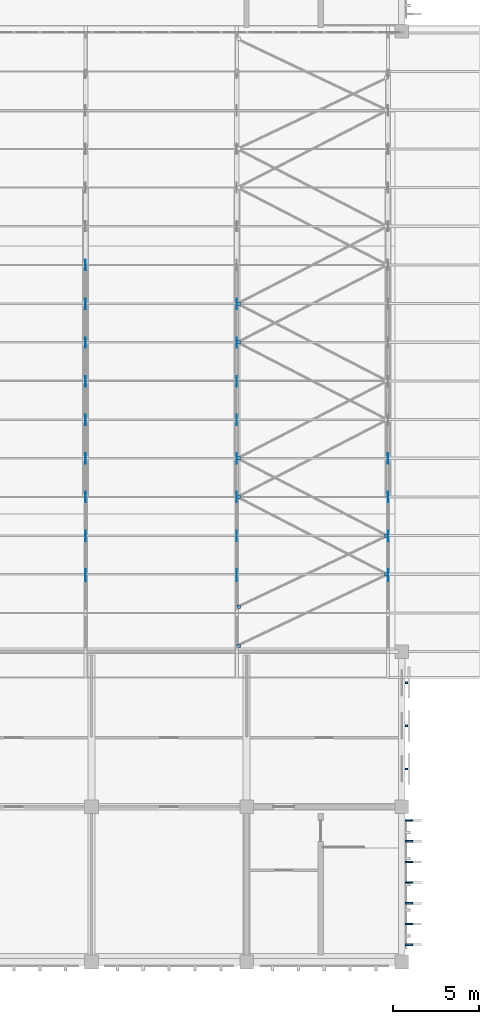
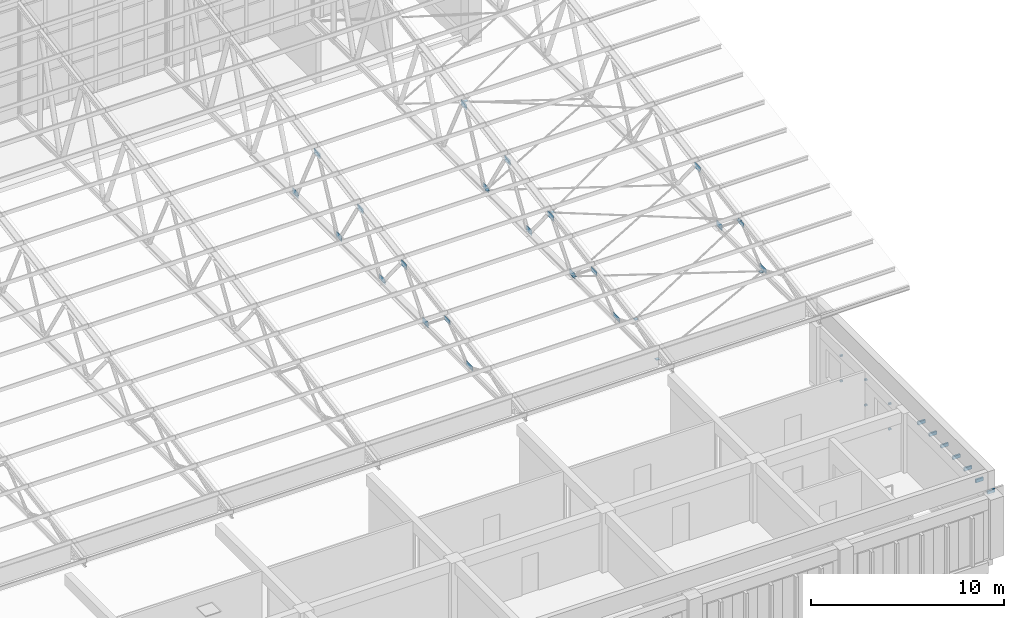
# One storey, part 154 of 185: 42 discrete accessories.
"""IFC4 building model written with IfcOpenShell, lengths in metres."""

from ifc_helpers import new_model, si_unit, direction, frame, origin, origin_2d, place, context, subcontext, project, spatial, rectangle, extrude, material, layer, layer_set, type_object, element, save


model = new_model("IFC4")

# Units and contexts
model_context = context("Model", 3, precision=1e-05, world=origin(), true_north=direction((0.0, 1.0)))
body_context = subcontext(model_context, "Body", "Model", "MODEL_VIEW")
ifc_project = project(units=[si_unit("LENGTHUNIT", "METRE"), si_unit("AREAUNIT", "SQUARE_METRE"), si_unit("VOLUMEUNIT", "CUBIC_METRE"), si_unit("PLANEANGLEUNIT", "RADIAN"), si_unit("MASSUNIT", "GRAM", prefix="KILO")], contexts=[model_context])

# Site, building, storey
site_placement = place(None, origin())
site = spatial("IfcSite", under=ifc_project, at=site_placement, CompositionType="ELEMENT")
building_placement = place(site_placement, origin())
building = spatial("IfcBuilding", under=site, at=building_placement, Name="Opaline Strait Convention Centre", CompositionType="ELEMENT")
storey_placement = place(building_placement, frame((0.0, 0.0, 6.0)))
storey = spatial("IfcBuildingStorey", under=building, at=storey_placement, Name="L01", CompositionType="ELEMENT", Elevation=6.0)

# Discrete accessories
ifc_material_1 = material(Name="Steel Q355B", Category="steel")
ifc_layer_1 = layer(ifc_material_1, 0.014892578125)
ifc_layer_set_1 = layer_set([ifc_layer_1], Name="Steel Q355B")
discrete_accessory_type_1 = type_object("IfcDiscreteAccessoryType", Name="Brace gusset plate 200 x 200 x 15", PredefinedType="USERDEFINED", material=ifc_layer_set_1)
for number, where, z_axis, x_axis, name in (
    (1, (341.531982421875, 27.35009765625, 4.49267578125), (0.0, 0.0, 1.0), (1.0, 0.0, 0.0), "BNP8 roof brace gusset plate end bay 2 bottom plane"),
    (2, (341.531982421875, 35.97509765625, 4.49267578125), (0.0, 0.0, 1.0), (1.0, 0.0, 0.0), "BNP8 roof brace gusset plate end bay 2 bottom plane"),
    (3, (341.53466796875, 44.949951171875, 4.49267578125), (0.0, 0.0, 1.0), (1.0, 0.0, 0.0), "BNP8 roof brace gusset plate end bay 2 bottom plane"),
    (4, (350.096435546875, 31.487548828125, 4.49267578125), (0.0, 0.0, 1.0), (1.0, 0.0, 0.0), "BNP8 roof brace gusset plate end bay 2 bottom plane"),
    (5, (341.531982421875, 29.59375, 5.64990234375), (0.0, 0.0, 1.0), (1.0, 0.0, 0.0), "BNP8 roof brace gusset plate end bay 2 top plane"),
    (6, (341.53466796875, 38.21875, 7.1708984375), (0.0, 0.0, 1.0), (1.0, 0.0, 0.0), "BNP8 roof brace gusset plate end bay 2 top plane"),
    (7, (341.53466796875, 47.19384765625, 8.75341796875), (0.0, 0.0, 1.0), (1.0, 0.0, 0.0), "BNP8 roof brace gusset plate end bay 2 top plane"),
    (8, (350.096435546875, 33.731201171875, 6.37939453125), (0.0, 0.0, 1.0), (1.0, 0.0, 0.0), "BNP8 roof brace gusset plate end bay 2 top plane"),
):
    element("IfcDiscreteAccessory", number, at=place(storey_placement, frame(where, z_axis=z_axis, x_axis=x_axis)), inside=storey, type_object=discrete_accessory_type_1, Name=name, ObjectType="NODE HUB", PredefinedType="USERDEFINED", context=body_context, shape_type="SweptSolid", body=[
        extrude(rectangle(XDim=0.199951171875, YDim=0.199951171875, at=origin_2d()), origin(), (0.0, 0.0, 1.0), 0.014892578125),
    ])
ifc_material_2 = material(Name="Stainless steel 304", Category="steel")
discrete_accessory_type_2 = type_object("IfcDiscreteAccessoryType", Name="Louvre support bracket 150", PredefinedType="BRACKET", material=ifc_material_2)
for number, where, z_axis, x_axis, name in (
    (9, (351.27490234375, 20.199951171875, 0.949951171875), (0.0, 0.0, 1.0), (1.0, 0.0, 0.0), "Louvre bracket L01 1.1"),
    (10, (351.27490234375, 20.199951171875, 2.550048828125), (0.0, 0.0, 1.0), (1.0, 0.0, 0.0), "Louvre bracket L01 1.2"),
    (11, (351.27490234375, 22.699951171875, 0.949951171875), (0.0, 0.0, 1.0), (1.0, 0.0, 0.0), "Louvre bracket L01 2.1"),
    (12, (351.27490234375, 22.699951171875, 2.550048828125), (0.0, 0.0, 1.0), (1.0, 0.0, 0.0), "Louvre bracket L01 2.2"),
    (13, (351.27490234375, 25.199951171875, 0.949951171875), (0.0, 0.0, 1.0), (1.0, 0.0, 0.0), "Louvre bracket L01 3.1"),
    (14, (351.27490234375, 25.199951171875, 2.550048828125), (0.0, 0.0, 1.0), (1.0, 0.0, 0.0), "Louvre bracket L01 3.2"),
):
    element("IfcDiscreteAccessory", number, at=place(storey_placement, frame(where, z_axis=z_axis, x_axis=x_axis)), inside=storey, type_object=discrete_accessory_type_2, Name=name, PredefinedType="BRACKET", context=body_context, shape_type="SweptSolid", body=[
        extrude(rectangle(XDim=0.14990234375, YDim=0.10009765625, at=origin_2d()), origin(), (0.0, 0.0, 1.0), 0.10009765625),
    ])
discrete_accessory_type_3 = type_object("IfcDiscreteAccessoryType", Name="Storm fin bracket 100", PredefinedType="BRACKET", material=ifc_material_2)
for number, where, z_axis, x_axis, name in (
    (15, (351.425048828125, 10.0, 3.10009765625), (0.0, 0.0, 1.0), (1.0, 0.0, 0.0), "Storm fin bracket east 82"),
    (16, (351.425048828125, 11.199951171875, 3.10009765625), (0.0, 0.0, 1.0), (1.0, 0.0, 0.0), "Storm fin bracket east 83"),
    (17, (351.425048828125, 12.39990234375, 3.10009765625), (0.0, 0.0, 1.0), (1.0, 0.0, 0.0), "Storm fin bracket east 84"),
    (18, (351.425048828125, 13.60009765625, 3.10009765625), (0.0, 0.0, 1.0), (1.0, 0.0, 0.0), "Storm fin bracket east 85"),
    (19, (351.425048828125, 14.800048828125, 3.10009765625), (0.0, 0.0, 1.0), (1.0, 0.0, 0.0), "Storm fin bracket east 86"),
    (20, (351.425048828125, 16.0, 3.10009765625), (0.0, 0.0, 1.0), (1.0, 0.0, 0.0), "Storm fin bracket east 87"),
    (21, (351.425048828125, 17.199951171875, 3.10009765625), (0.0, 0.0, 1.0), (1.0, 0.0, 0.0), "Storm fin bracket east 88"),
):
    element("IfcDiscreteAccessory", number, at=place(storey_placement, frame(where, z_axis=z_axis, x_axis=x_axis)), inside=storey, type_object=discrete_accessory_type_3, Name=name, PredefinedType="BRACKET", context=body_context, shape_type="SweptSolid", body=[
        extrude(rectangle(XDim=0.449951171875, YDim=0.10009765625, at=origin_2d()), origin(), (0.0, 0.0, 1.0), 0.199951171875),
    ])
ifc_layer_2 = layer(ifc_material_1, 0.014892578125)
ifc_layer_set_2 = layer_set([ifc_layer_2], Name="Steel Q355B")
discrete_accessory_type_4 = type_object("IfcDiscreteAccessoryType", Name="Truss node plate 600 x 300 x 15", PredefinedType="USERDEFINED", material=ifc_layer_set_2)
for number, where, z_axis, x_axis, name in (
    (22, (332.656982421875, 33.714111328125, 6.0361328125), (0.0, 0.0, 1.0), (1.0, 0.0, 0.0), "BNP6 truss node plate line 6 top node"),
    (23, (341.4287109375, 33.714111328125, 6.0361328125), (0.0, 0.0, 1.0), (1.0, 0.0, 0.0), "BNP6 truss node plate line 7 top node"),
    (24, (350.199951171875, 33.714111328125, 6.0361328125), (0.0, 0.0, 1.0), (1.0, 0.0, 0.0), "BNP6 truss node plate line 8 top node"),
):
    element("IfcDiscreteAccessory", number, at=place(storey_placement, frame(where, z_axis=z_axis, x_axis=x_axis)), inside=storey, type_object=discrete_accessory_type_4, Name=name, ObjectType="NODE HUB", PredefinedType="USERDEFINED", context=body_context, shape_type="SweptSolid", body=[
        extrude(rectangle(XDim=0.014892578125, YDim=0.60009765625, at=origin_2d()), origin(), (0.0, 0.0, 1.0), 0.300048828125),
    ])
ifc_layer_3 = layer(ifc_material_1, 0.014892578125)
ifc_layer_set_3 = layer_set([ifc_layer_3], Name="Steel Q355B")
discrete_accessory_type_5 = type_object("IfcDiscreteAccessoryType", Name="Truss node plate 600 x 350 x 15", PredefinedType="USERDEFINED", material=ifc_layer_set_3)
for number, where, z_axis, x_axis, name in (
    (25, (332.656982421875, 35.967041015625, 4.52001953125), (0.0, 0.0, 1.0), (1.0, 0.0, 0.0), "BNP2 truss node plate line 6 bottom node"),
    (26, (332.656982421875, 40.441650390625, 4.52001953125), (0.0, 0.0, 1.0), (1.0, 0.0, 0.0), "BNP2 truss node plate line 6 bottom node"),
    (27, (332.656982421875, 44.92236328125, 4.52001953125), (0.0, 0.0, 1.0), (1.0, 0.0, 0.0), "BNP2 truss node plate line 6 bottom node"),
    (28, (332.656982421875, 38.20947265625, 6.8037109375), (0.0, 0.0, 1.0), (1.0, 0.0, 0.0), "BNP2 truss node plate line 6 top node"),
    (29, (332.656982421875, 42.6845703125, 7.5927734375), (0.0, 0.0, 1.0), (1.0, 0.0, 0.0), "BNP2 truss node plate line 6 top node"),
    (30, (332.656982421875, 47.165771484375, 8.383056640625), (0.0, 0.0, 1.0), (1.0, 0.0, 0.0), "BNP2 truss node plate line 6 top node"),
    (31, (341.4287109375, 35.967041015625, 4.52001953125), (0.0, 0.0, 1.0), (1.0, 0.0, 0.0), "BNP2 truss node plate line 7 bottom node"),
    (32, (341.4287109375, 40.441650390625, 4.52001953125), (0.0, 0.0, 1.0), (1.0, 0.0, 0.0), "BNP2 truss node plate line 7 bottom node"),
    (33, (341.4287109375, 44.92236328125, 4.52001953125), (0.0, 0.0, 1.0), (1.0, 0.0, 0.0), "BNP2 truss node plate line 7 bottom node"),
    (34, (341.4287109375, 38.20947265625, 6.8037109375), (0.0, 0.0, 1.0), (1.0, 0.0, 0.0), "BNP2 truss node plate line 7 top node"),
    (35, (341.4287109375, 42.6845703125, 7.5927734375), (0.0, 0.0, 1.0), (1.0, 0.0, 0.0), "BNP2 truss node plate line 7 top node"),
    (36, (341.4287109375, 47.165771484375, 8.383056640625), (0.0, 0.0, 1.0), (1.0, 0.0, 0.0), "BNP2 truss node plate line 7 top node"),
    (37, (350.199951171875, 35.967041015625, 4.52001953125), (0.0, 0.0, 1.0), (1.0, 0.0, 0.0), "BNP2 truss node plate line 8 bottom node"),
    (38, (350.199951171875, 38.20947265625, 6.8037109375), (0.0, 0.0, 1.0), (1.0, 0.0, 0.0), "BNP2 truss node plate line 8 top node"),
):
    element("IfcDiscreteAccessory", number, at=place(storey_placement, frame(where, z_axis=z_axis, x_axis=x_axis)), inside=storey, type_object=discrete_accessory_type_5, Name=name, ObjectType="NODE HUB", PredefinedType="USERDEFINED", context=body_context, shape_type="SweptSolid", body=[
        extrude(rectangle(XDim=0.014892578125, YDim=0.60009765625, at=origin_2d()), origin(), (0.0, 0.0, 1.0), 0.35009765625),
    ])
ifc_layer_4 = layer(ifc_material_1, 0.014892578125)
ifc_layer_set_4 = layer_set([ifc_layer_4], Name="Steel Q355B")
discrete_accessory_type_6 = type_object("IfcDiscreteAccessoryType", Name="Truss node plate 600 x 400 x 15", PredefinedType="USERDEFINED", material=ifc_layer_set_4)
discrete_accessory_placement = place(storey_placement, frame((332.656982421875, 49.434814453125, 4.4951171875), z_axis=(0.0, 0.0, 1.0), x_axis=(1.0, 0.0, 0.0)))
element("IfcDiscreteAccessory", 39, at=discrete_accessory_placement, inside=storey, type_object=discrete_accessory_type_6, Name="BNP3 truss node plate line 6 bottom node", ObjectType="NODE HUB", PredefinedType="USERDEFINED", context=body_context, shape_type="SweptSolid", body=[
    extrude(rectangle(XDim=0.014892578125, YDim=0.60009765625, at=origin_2d()), origin(), (0.0, 0.0, 1.0), 0.39990234375),
])
ifc_layer_5 = layer(ifc_material_1, 0.014892578125)
ifc_layer_set_5 = layer_set([ifc_layer_5], Name="Steel Q355B")
discrete_accessory_type_7 = type_object("IfcDiscreteAccessoryType", Name="Truss node plate 700 x 300 x 15", PredefinedType="USERDEFINED", material=ifc_layer_set_5)
for number, where, z_axis, x_axis, name in (
    (40, (332.656982421875, 31.42333984375, 4.544921875), (0.0, 0.0, 1.0), (1.0, 0.0, 0.0), "BNP1 truss node plate line 6 bottom node"),
    (41, (341.4287109375, 31.42333984375, 4.544921875), (0.0, 0.0, 1.0), (1.0, 0.0, 0.0), "BNP1 truss node plate line 7 bottom node"),
    (42, (350.199951171875, 31.42333984375, 4.544921875), (0.0, 0.0, 1.0), (1.0, 0.0, 0.0), "BNP1 truss node plate line 8 bottom node"),
):
    element("IfcDiscreteAccessory", number, at=place(storey_placement, frame(where, z_axis=z_axis, x_axis=x_axis)), inside=storey, type_object=discrete_accessory_type_7, Name=name, ObjectType="NODE HUB", PredefinedType="USERDEFINED", context=body_context, shape_type="SweptSolid", body=[
        extrude(rectangle(XDim=0.014892578125, YDim=0.699951171875, at=origin_2d()), origin(), (0.0, 0.0, 1.0), 0.300048828125),
    ])

save(model, "model.ifc")
